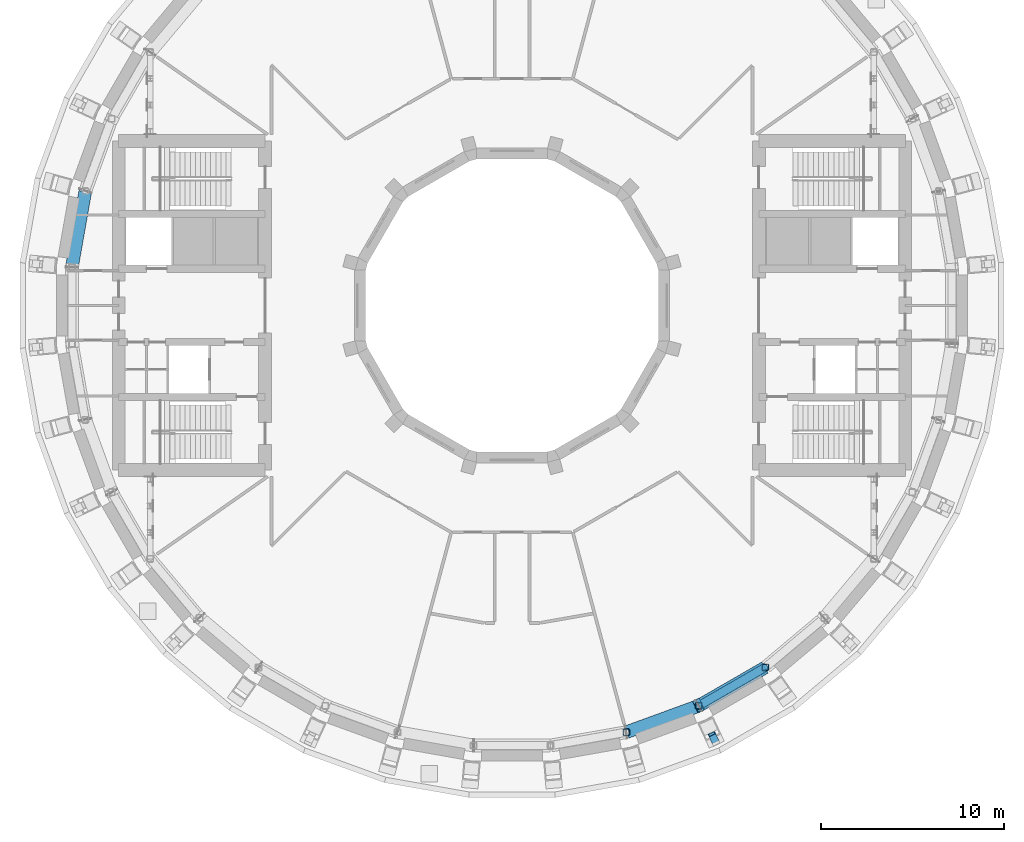
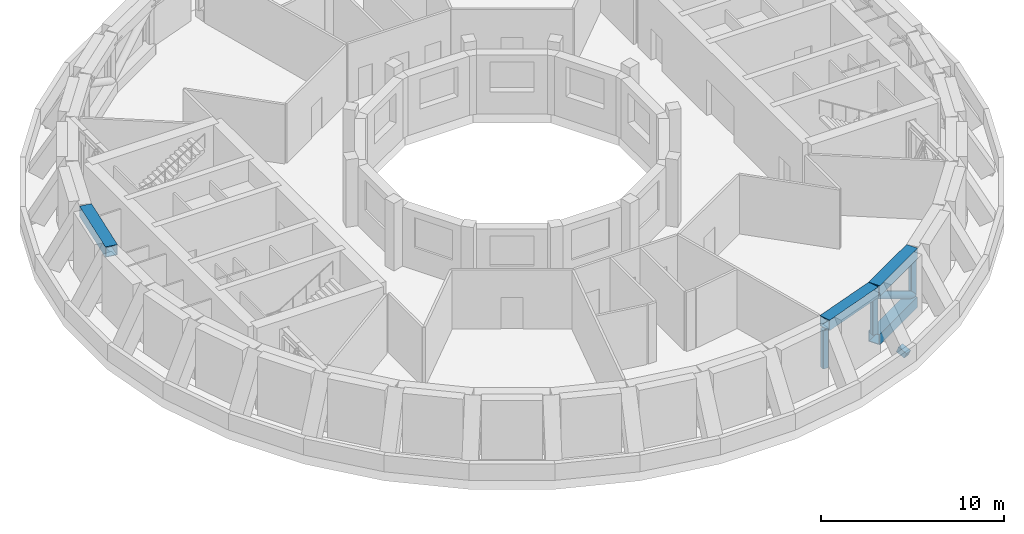
# One storey, part 3 of 20: 8 members, 2 beams.
"""IFC4 building model written with IfcOpenShell, lengths in metres."""

from ifc_helpers import new_model, si_unit, direction, frame, origin, origin_2d, place, context, subcontext, project, spatial, hollow_rectangle, hollow_circle, extrude, material, material_profile, profile_set, type_object, element, save


model = new_model("IFC4")

# Units and contexts
model_context = context("Model", 3, precision=1e-05, world=origin(), true_north=direction((0.0, 1.0)))
body_context = subcontext(model_context, "Body", "Model", "MODEL_VIEW")
ifc_project = project(units=[si_unit("LENGTHUNIT", "METRE"), si_unit("AREAUNIT", "SQUARE_METRE"), si_unit("VOLUMEUNIT", "CUBIC_METRE"), si_unit("PLANEANGLEUNIT", "RADIAN"), si_unit("MASSUNIT", "GRAM", prefix="KILO")], contexts=[model_context])

# Site, building, storey
site_placement = place(None, origin())
site = spatial("IfcSite", under=ifc_project, at=site_placement, CompositionType="ELEMENT")
building_placement = place(site_placement, origin())
building = spatial("IfcBuilding", under=site, at=building_placement, Name="Saqina Gate Tower", CompositionType="ELEMENT")
storey_placement = place(building_placement, frame((0.0, 0.0, 151.300048828125)))
storey = spatial("IfcBuildingStorey", under=building, at=storey_placement, Name="L43", CompositionType="ELEMENT", Elevation=151.300048828125)

# Members
ifc_material_1 = material(Name="Steel S460", Category="steel")
ifc_material_profile_1 = material_profile(ifc_material_1, hollow_rectangle(XDim=0.699951171875, YDim=0.699951171875, WallThickness=0.0400390625, at=origin_2d()), Name="BOX 700x700x40")
ifc_profile_set_1 = profile_set([ifc_material_profile_1], Name="Steel S460")
member_type_1 = type_object("IfcMemberType", Name="STR-BELT TRUSS L43 CHORD-BOX 700x700x40", PredefinedType="CHORD", material=ifc_profile_set_1)
member_1_placement = place(storey_placement, frame((-23.33251953125, 6.22021484375, 3.599853515625), z_axis=(-0.173620815343, -0.984812577336, 0.0), x_axis=(0.984812577336, -0.173620815343, 0.0)))
element("IfcMember", 1, at=member_1_placement, inside=storey, type_object=member_type_1, Name="BELT TRUSS L43 CHORD 039", PredefinedType="CHORD", context=body_context, shape_type="SweptSolid", body=[
    extrude(hollow_rectangle(XDim=0.699951171875, YDim=0.699951171875, WallThickness=0.0400390625, at=origin_2d()), origin(), (0.0, 0.0, 1.0), 4.148193359375),
])
for number, where, z_axis, x_axis, name in (
    (2, (6.279296875, -23.316650390625, 3.599853515625), (0.939683403968, 0.342045465263, 0.0), (-0.342045465263, 0.939683403968, 0.0), "BELT TRUSS L43 CHORD 067"),
    (3, (10.232666015625, -21.8720703125, 0.349853515625), (0.866032706045, 0.4999873519, 0.0), (-0.4999873519, 0.866032706045, 0.0), "BELT TRUSS L43 CHORD 068"),
    (4, (10.232666015625, -21.8720703125, 3.599853515625), (0.866032706045, 0.4999873519, 0.0), (-0.4999873519, 0.866032706045, 0.0), "BELT TRUSS L43 CHORD 069"),
):
    element("IfcMember", number, at=place(storey_placement, frame(where, z_axis=z_axis, x_axis=x_axis)), inside=storey, type_object=member_type_1, Name=name, PredefinedType="CHORD", context=body_context, shape_type="SweptSolid", body=[
        extrude(hollow_rectangle(XDim=0.699951171875, YDim=0.699951171875, WallThickness=0.0400390625, at=origin_2d()), origin(), (0.0, 0.0, 1.0), 4.1484375),
    ])
ifc_material_2 = material(Name="Steel S460", Category="steel")
ifc_material_profile_2 = material_profile(ifc_material_2, hollow_circle(Radius=0.228515625, WallThickness=0.02001953125, at=origin_2d()), Name="CHS 457x20")
ifc_profile_set_2 = profile_set([ifc_material_profile_2], Name="Steel S460")
member_type_2 = type_object("IfcMemberType", Name="STR-BELT TRUSS L43 DIAGONAL-CHS 457x20", PredefinedType="BRACE", material=ifc_profile_set_2)
member_2_placement = place(storey_placement, frame((10.197265625, -21.892578125, 3.256103515625), z_axis=(0.740741335125, 0.427681122719, -0.518064794892), x_axis=(-0.500012199891, 0.86601836006, 0.0)))
element("IfcMember", 5, at=member_2_placement, inside=storey, type_object=member_type_2, Name="BELT TRUSS L43 DIAGONAL 070", PredefinedType="BRACE", context=body_context, shape_type="SweptSolid", body=[
    extrude(hollow_circle(Radius=0.228515625, WallThickness=0.02001953125, at=origin_2d()), origin(), (0.0, 0.0, 1.0), 4.94580078125),
])
ifc_material_3 = material(Name="Steel S460", Category="steel")
ifc_material_profile_3 = material_profile(ifc_material_3, hollow_rectangle(XDim=0.35009765625, YDim=0.35009765625, WallThickness=0.01611328125, InnerFilletRadius=0.031982421875, OuterFilletRadius=0.048095703125, at=origin_2d()), Name="SHS 350x350x16")
ifc_profile_set_3 = profile_set([ifc_material_profile_3], Name="Steel S460")
member_type_3 = type_object("IfcMemberType", Name="STR-BELT TRUSS L43 POST-SHS 350x350x16", PredefinedType="POST", material=ifc_profile_set_3)
for number, where, z_axis, x_axis, name in (
    (6, (6.25048828125, -23.3271484375, 0.699951171875), (0.0, 0.0, 1.0), (1.0, 0.0, 0.0), "BELT TRUSS L43 POST 112"),
    (7, (10.206298828125, -21.887451171875, 0.699951171875), (0.0, 0.0, 1.0), (1.0, 0.0, 0.0), "BELT TRUSS L43 POST 113"),
    (8, (13.851806640625, -19.782470703125, 0.699951171875), (0.0, 0.0, 1.0), (1.0, 0.0, 0.0), "BELT TRUSS L43 POST 114"),
):
    element("IfcMember", number, at=place(storey_placement, frame(where, z_axis=z_axis, x_axis=x_axis)), inside=storey, type_object=member_type_3, Name=name, PredefinedType="POST", context=body_context, shape_type="SweptSolid", body=[
        extrude(hollow_rectangle(XDim=0.35009765625, YDim=0.35009765625, WallThickness=0.01611328125, InnerFilletRadius=0.031982421875, OuterFilletRadius=0.048095703125, at=origin_2d()), origin(), (0.0, 0.0, 1.0), 2.550048828125),
    ])

# Beams
ifc_material_4 = material(Name="Steel S460", Category="steel")
ifc_material_profile_4 = material_profile(ifc_material_4, hollow_rectangle(XDim=0.39990234375, YDim=0.39990234375, WallThickness=0.030029296875, at=origin_2d()), Name="BOX 400x400x30")
ifc_profile_set_4 = profile_set([ifc_material_profile_4], Name="Steel S460")
beam_type = type_object("IfcBeamType", Name="STR-NODE TIE BEAM L43-BOX 400x400x30", PredefinedType="BEAM", material=ifc_profile_set_4)
for number, where, z_axis, x_axis, name in (
    (9, (11.1572265625, -23.926513671875, 0.185302734375), (-0.39155197943, 0.839862544112, 0.37592280378), (-0.906341825437, -0.42254525848, 0.0), "NODE TIE BEAM L43 30 FOOT"),
    (10, (10.079345703125, -21.615478515625, 3.54150390625), (0.39155197943, -0.839862544112, 0.37592280378), (0.906341825437, 0.42254525848, 0.0), "NODE TIE BEAM L43 30 HEAD"),
):
    element("IfcBeam", number, at=place(storey_placement, frame(where, z_axis=z_axis, x_axis=x_axis)), inside=storey, type_object=beam_type, Name=name, PredefinedType="BEAM", context=body_context, shape_type="SweptSolid", body=[
        extrude(hollow_rectangle(XDim=0.39990234375, YDim=0.39990234375, WallThickness=0.030029296875, at=origin_2d()), origin(), (0.0, 0.0, 1.0), 0.593505859375),
    ])

save(model, "model.ifc")
